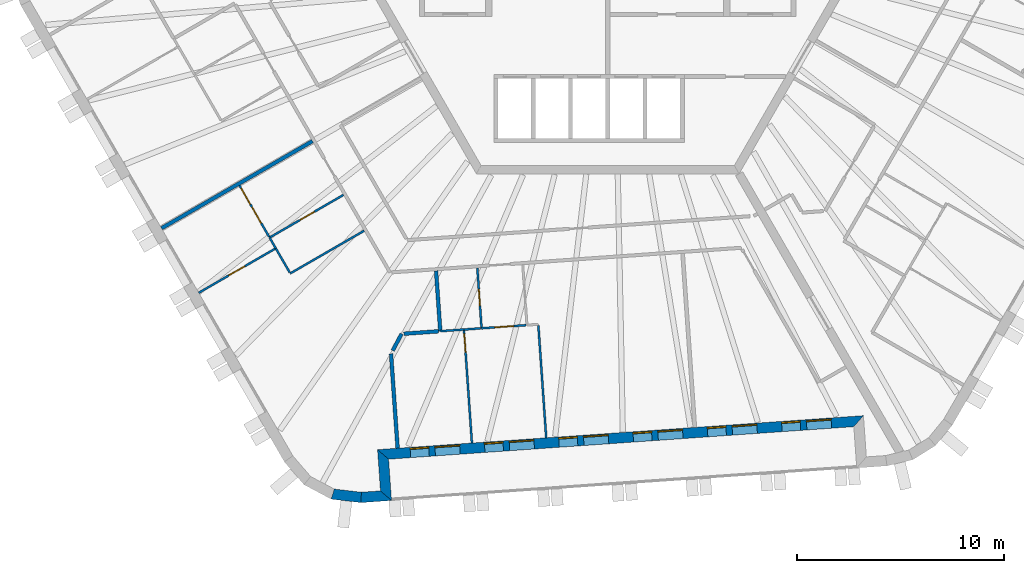
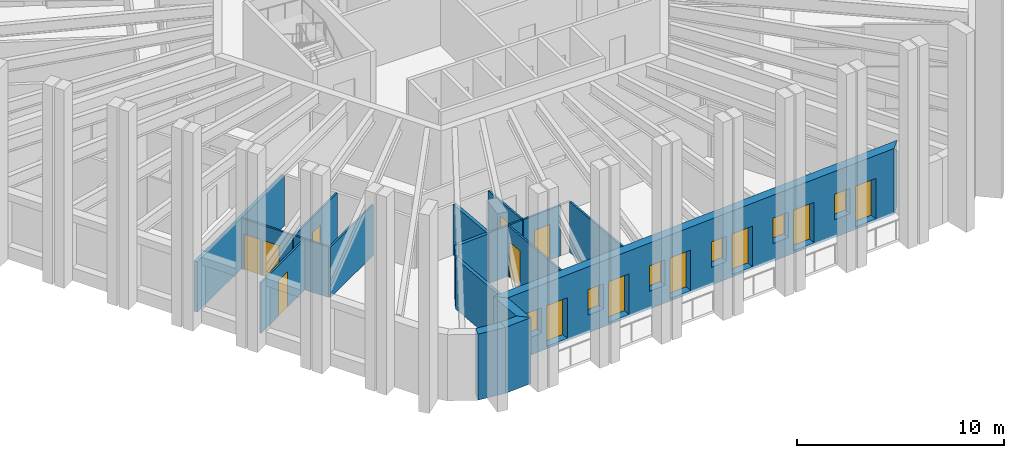
# One storey, part 3 of 12: 21 walls, 13 doors, 6 windows, 19 openings.
"""IFC4 building model written with IfcOpenShell, lengths in metres."""

from ifc_helpers import new_model, si_unit, direction, frame, frame_2d, origin, place, context, subcontext, project, spatial, polyline, rectangle, outline, extrude, material, layer, layer_set, type_object, element, fill, save


model = new_model("IFC4")

# Units and contexts
model_context = context("Model", 3, precision=1e-05, world=origin(), true_north=direction((0.0, 1.0)))
body_context = subcontext(model_context, "Body", "Model", "MODEL_VIEW")
ifc_project = project(units=[si_unit("LENGTHUNIT", "METRE"), si_unit("AREAUNIT", "SQUARE_METRE"), si_unit("VOLUMEUNIT", "CUBIC_METRE"), si_unit("PLANEANGLEUNIT", "RADIAN"), si_unit("MASSUNIT", "GRAM", prefix="KILO")], contexts=[model_context])

# Site, building, storey
site_placement = place(None, origin())
site = spatial("IfcSite", under=ifc_project, at=site_placement, CompositionType="ELEMENT")
building_placement = place(site_placement, origin())
building = spatial("IfcBuilding", under=site, at=building_placement, Name="Tarnside Tower", CompositionType="ELEMENT")
storey_placement = place(building_placement, frame((0.0, 0.0, 291.300048828125)))
storey = spatial("IfcBuildingStorey", under=building, at=storey_placement, Name="L70", CompositionType="ELEMENT", Elevation=291.300048828125)

# Walls
ifc_material_1 = material(Name="Gypsum board partition on steel studs", Category="steel")
ifc_layer_1 = layer(ifc_material_1, 0.10009765625)
ifc_layer_set_1 = layer_set([ifc_layer_1], Name="Bathroom wall 100")
wall_type_1 = type_object("IfcWallType", Name="Bathroom wall 100", PredefinedType="PARTITIONING", material=ifc_layer_set_1)
wall_1_placement = place(storey_placement, frame((-11.77490234375, -13.755126953125, 0.0), z_axis=(0.0, 0.0, 1.0), x_axis=(-0.866034795751, -0.499983732284, 0.0)))
element("IfcWall", 1, at=wall_1_placement, inside=storey, type_object=wall_type_1, Name="Bathroom wall 23120", PredefinedType="PARTITIONING", context=body_context, shape_type="SweptSolid", body=[
    extrude(rectangle(XDim=4.125244140625, YDim=0.10009765625, at=frame_2d((2.0625, 0.0))), origin(), (0.0, 0.0, 1.0), 2.98779296875),
])
wall_2_placement = place(storey_placement, frame((-15.372314453125, -15.7744140625, 0.0), z_axis=(0.0, 0.0, 1.0), x_axis=(-0.500003806764, 0.866023205937, 0.0)))
element("IfcWall", 2, at=wall_2_placement, inside=storey, type_object=wall_type_1, Name="Bathroom wall 23121", PredefinedType="PARTITIONING", context=body_context, shape_type="SweptSolid", body=[
    extrude(rectangle(XDim=1.35205078125, YDim=0.10009765625, at=frame_2d((0.676025390625, 0.0))), origin(), (0.0, 0.0, 1.0), 2.98779296875),
])

# Wall, opening, door
wall_3_placement = place(storey_placement, frame((-16.347412109375, -14.08544921875, 0.0), z_axis=(0.0, 0.0, 1.0), x_axis=(0.866034795751, 0.499983732284, 0.0)))
wall_3 = element("IfcWall", 3, at=wall_3_placement, inside=storey, type_object=wall_type_1, Name="Bathroom wall 23127", PredefinedType="PARTITIONING", context=body_context, shape_type="SweptSolid", body=[
    extrude(rectangle(XDim=4.125244140625, YDim=0.10009765625, at=frame_2d((2.0625, 0.0))), origin(), (0.0, 0.0, 1.0), 2.98779296875),
])
opening_1_placement = place(wall_3_placement, frame((1.699951171875, 0.0, 0.0)))
opening_1 = element("IfcOpeningElement", 4, at=opening_1_placement, cuts=wall_3, Name="Opening D-B1", PredefinedType="OPENING", context=body_context, shape_type="SweptSolid", body=[
    extrude(rectangle(XDim=0.800048828125, YDim=2.10009765625, at=frame_2d((0.39990234375, 1.050048828125))), frame((0.0, 0.06005859375, 0.0), z_axis=(0.0, -1.0, 0.0), x_axis=(1.0, 0.0, 0.0)), (0.0, 0.0, 1.0), 0.1201171875),
])
ifc_material_2 = material(Name="Timber door leaf", Category="wood")
door_type_1 = type_object("IfcDoorType", Name="Bathroom door 800", OperationType="NOTDEFINED", PredefinedType="DOOR", material=ifc_material_2)
door_1_placement = place(opening_1_placement, origin())
door_1 = element("IfcDoor", 5, at=door_1_placement, inside=storey, type_object=door_type_1, Name="Bathroom door 23027", OperationType="SINGLE_SWING_LEFT", OverallHeight=2.10009765625, OverallWidth=0.800048828125, PredefinedType="DOOR", context=body_context, shape_type="SweptSolid", body=[
    extrude(rectangle(XDim=0.800048828125, YDim=2.10009765625, at=frame_2d((0.39990234375, 1.050048828125))), frame((0.0, 0.02490234375, 0.0), z_axis=(0.0, -1.0, 0.0), x_axis=(1.0, 0.0, 0.0)), (0.0, 0.0, 1.0), 0.050048828125),
])
fill(opening_1, door_1)

# Wall
wall_4_placement = place(storey_placement, frame((-16.348388671875, -14.083740234375, 0.0), z_axis=(0.0, 0.0, 1.0), x_axis=(0.499933044277, -0.866064057238, 0.0)))
element("IfcWall", 6, at=wall_4_placement, inside=storey, type_object=wall_type_1, Name="Bathroom wall 23129", PredefinedType="PARTITIONING", context=body_context, shape_type="SweptSolid", body=[
    extrude(rectangle(XDim=0.60205078125, YDim=0.10009765625, at=frame_2d((0.301025390625, 0.0))), origin(), (0.0, 0.0, 1.0), 2.98779296875),
])

# Wall, opening, door
wall_5_placement = place(storey_placement, frame((-6.303466796875, -15.552490234375, 0.0), z_axis=(0.0, 0.0, 1.0), x_axis=(0.069775971057, -0.997562686683, 0.0)))
wall_5 = element("IfcWall", 7, at=wall_5_placement, inside=storey, type_object=wall_type_1, Name="Bathroom wall 23134", PredefinedType="PARTITIONING", context=body_context, shape_type="SweptSolid", body=[
    extrude(rectangle(XDim=2.925048828125, YDim=0.10009765625, at=frame_2d((1.46240234375, 0.0))), origin(), (0.0, 0.0, 1.0), 2.98779296875),
])
opening_2_placement = place(wall_5_placement, frame((1.02490234375, 0.0, 0.0)))
opening_2 = element("IfcOpeningElement", 8, at=opening_2_placement, cuts=wall_5, Name="Opening D-B1", PredefinedType="OPENING", context=body_context, shape_type="SweptSolid", body=[
    extrude(rectangle(XDim=0.800048828125, YDim=2.10009765625, at=frame_2d((0.39990234375, 1.050048828125))), frame((0.0, 0.06005859375, 0.0), z_axis=(0.0, -1.0, 0.0), x_axis=(1.0, 0.0, 0.0)), (0.0, 0.0, 1.0), 0.1201171875),
])
door_2_placement = place(opening_2_placement, origin())
door_2 = element("IfcDoor", 9, at=door_2_placement, inside=storey, type_object=door_type_1, Name="Bathroom door 23032", OperationType="SINGLE_SWING_RIGHT", OverallHeight=2.10009765625, OverallWidth=0.800048828125, PredefinedType="DOOR", context=body_context, shape_type="SweptSolid", body=[
    extrude(rectangle(XDim=0.800048828125, YDim=2.10009765625, at=frame_2d((0.39990234375, 1.050048828125))), frame((0.0, 0.02490234375, 0.0), z_axis=(0.0, -1.0, 0.0), x_axis=(1.0, 0.0, 0.0)), (0.0, 0.0, 1.0), 0.050048828125),
])
fill(opening_2, door_2)

# Walls
wall_6_placement = place(storey_placement, frame((-8.0966796875, -18.610107421875, 0.0), z_axis=(0.0, 0.0, 1.0), x_axis=(0.99756000175, 0.069814346006, 0.0)))
element("IfcWall", 10, at=wall_6_placement, inside=storey, type_object=wall_type_1, Name="Bathroom wall 23136", PredefinedType="PARTITIONING", context=body_context, shape_type="SweptSolid", body=[
    extrude(rectangle(XDim=1.150390625, YDim=0.10009765625, at=frame_2d((0.5751953125, 0.0))), origin(), (0.0, 0.0, 1.0), 2.98779296875),
])
wall_7_placement = place(storey_placement, frame((-6.948974609375, -18.52978515625, 0.0), z_axis=(0.0, 0.0, 1.0), x_axis=(0.997577552604, 0.06956311192, 0.0)))
element("IfcWall", 11, at=wall_7_placement, inside=storey, type_object=wall_type_1, Name="Bathroom wall 23137", PredefinedType="PARTITIONING", context=body_context, shape_type="SweptSolid", body=[
    extrude(rectangle(XDim=0.8037109375, YDim=0.10009765625, at=frame_2d((0.40185546875, 0.0))), origin(), (0.0, 0.0, 1.0), 2.98779296875),
])
ifc_layer_2 = layer(ifc_material_1, 0.179931640625)
ifc_layer_set_2 = layer_set([ifc_layer_2], Name="Demising wall 180 EI 60")
wall_type_2 = type_object("IfcWallType", Name="Demising wall 180 EI 60", PredefinedType="PARTITIONING", material=ifc_layer_set_2)
wall_8_placement = place(storey_placement, frame((-21.5712890625, -13.637451171875, 0.0), z_axis=(0.0, 0.0, 1.0), x_axis=(0.866034063461, 0.499985000701, 0.0)))
element("IfcWall", 12, at=wall_8_placement, inside=storey, type_object=wall_type_2, Name="Demising wall 23116", PredefinedType="PARTITIONING", context=body_context, shape_type="SweptSolid", body=[
    extrude(rectangle(XDim=8.425048828125, YDim=0.179931640625, at=frame_2d((4.21240234375, 0.0))), origin(), (0.0, 0.0, 1.0), 2.98779296875),
])
wall_9_placement = place(storey_placement, frame((-8.094482421875, -18.60986328125, 0.0), z_axis=(0.0, 0.0, 1.0), x_axis=(-0.069781781132, 0.997562280272, 0.0)))
element("IfcWall", 13, at=wall_9_placement, inside=storey, type_object=wall_type_2, Name="Demising wall 23123", PredefinedType="PARTITIONING", context=body_context, shape_type="SweptSolid", body=[
    extrude(rectangle(XDim=2.9248046875, YDim=0.179931640625, at=frame_2d((1.46240234375, 0.0))), origin(), (0.0, 0.0, 1.0), 2.98779296875),
])
wall_10_placement = place(storey_placement, frame((-10.15673828125, -24.267578125, 0.0), z_axis=(0.0, 0.0, 1.0), x_axis=(-0.069722955951, 0.997566393486, 0.0)))
element("IfcWall", 14, at=wall_10_placement, inside=storey, type_object=wall_type_2, Name="Demising wall 23124", PredefinedType="PARTITIONING", context=body_context, shape_type="SweptSolid", body=[
    extrude(rectangle(XDim=4.57666015625, YDim=0.179931640625, at=frame_2d((2.288330078125, 0.0))), origin(), (0.0, 0.0, 1.0), 2.98779296875),
])
wall_11_placement = place(storey_placement, frame((-10.396240234375, -19.55224609375, 0.0), z_axis=(0.0, 0.0, 1.0), x_axis=(0.469595353143, 0.882881761226, 0.0)))
element("IfcWall", 15, at=wall_11_placement, inside=storey, type_object=wall_type_2, Name="Demising wall 23125", PredefinedType="PARTITIONING", context=body_context, shape_type="SweptSolid", body=[
    extrude(rectangle(XDim=0.919189453125, YDim=0.179931640625, at=frame_2d((0.45947265625, 0.0))), origin(), (0.0, 0.0, 1.0), 2.98779296875),
])
wall_12_placement = place(storey_placement, frame((-9.858642578125, -18.7333984375, 0.0), z_axis=(0.0, 0.0, 1.0), x_axis=(0.997559371599, 0.069823349496, 0.0)))
element("IfcWall", 16, at=wall_12_placement, inside=storey, type_object=wall_type_2, Name="Demising wall 23126", PredefinedType="PARTITIONING", context=body_context, shape_type="SweptSolid", body=[
    extrude(rectangle(XDim=1.681884765625, YDim=0.179931640625, at=frame_2d((0.8408203125, 0.0))), origin(), (0.0, 0.0, 1.0), 2.98779296875),
])
ifc_material_3 = material(Name="Dark zinc cladding")
ifc_layer_3 = layer(ifc_material_3, 0.10205078125)
ifc_material_4 = material(Name="Concrete C60/75 precast", Category="concrete")
ifc_layer_4 = layer(ifc_material_4, 0.298095703125)
ifc_material_5 = material(Name="Mineral wool insulation")
ifc_layer_5 = layer(ifc_material_5, 0.10009765625)
ifc_layer_set_3 = layer_set([ifc_layer_3, ifc_layer_4, ifc_layer_5], Name="Loggia wall 500 zinc faced")
wall_type_3 = type_object("IfcWallType", Name="Loggia wall 500 zinc faced", PredefinedType="SOLIDWALL", material=ifc_layer_set_3)
wall_13_placement = place(storey_placement, frame((-11.91748046875, -26.646240234375, -0.150146484375), z_axis=(0.0, 0.0, 1.0), x_axis=(0.997562933087, 0.069772448216, 0.0)))
element("IfcWall", 17, at=wall_13_placement, inside=storey, type_object=wall_type_3, Name="Tube wall L70 F4 stub 16", PredefinedType="SOLIDWALL", context=body_context, shape_type="SweptSolid", body=[
    extrude(outline(polyline([(-0.0234375, -0.25), (1.4501953125, -0.25), (0.9501953125, 0.25), (0.0234375, 0.25), (-0.0234375, -0.25)])), origin(), (0.0, 0.0, 1.0), 3.900146484375),
])
wall_14_placement = place(storey_placement, frame((-10.72021484375, -26.5625, -0.150146484375), z_axis=(0.0, 0.0, 1.0), x_axis=(-0.069824268692, 0.99755930726, 0.0)))
element("IfcWall", 18, at=wall_14_placement, inside=storey, type_object=wall_type_3, Name="Tube wall L70 F4 return 17", PredefinedType="SOLIDWALL", context=body_context, shape_type="SweptSolid", body=[
    extrude(outline(polyline([(-0.25, -0.25), (1.75, -0.25), (2.25, 0.25), (0.25, 0.25), (-0.25, -0.25)])), origin(), (0.0, 0.0, 1.0), 3.900146484375),
])

# Wall, openings, doors, windows
wall_15_placement = place(storey_placement, frame((-10.85986328125, -24.5673828125, -0.150146484375), z_axis=(0.0, 0.0, 1.0), x_axis=(0.997564329317, 0.06975248292, 0.0)))
wall_15 = element("IfcWall", 19, at=wall_15_placement, inside=storey, type_object=wall_type_3, Name="Tube wall L70 F4 back 18", PredefinedType="SOLIDWALL", context=body_context, shape_type="SweptSolid", body=[
    extrude(outline(polyline([(0.25, -0.25), (22.794677734375, -0.25), (23.294677734375, 0.25), (-0.25, 0.25), (0.25, -0.25)])), origin(), (0.0, 0.0, 1.0), 3.900146484375),
])
opening_3_placement = place(wall_15_placement, frame((1.322509765625, 0.0, 1.050048828125)))
opening_3 = element("IfcOpeningElement", 20, at=opening_3_placement, cuts=wall_15, Name="Opening WL500", PredefinedType="OPENING", context=body_context, shape_type="SweptSolid", body=[
    extrude(rectangle(XDim=0.89990234375, YDim=1.5, at=frame_2d((0.449951171875, 0.75))), frame((0.0, 0.260009765625, 0.0), z_axis=(0.0, -1.0, 0.0), x_axis=(1.0, 0.0, 0.0)), (0.0, 0.0, 1.0), 0.52001953125),
])
opening_4_placement = place(wall_15_placement, frame((2.5224609375, 0.0, 0.14990234375)))
opening_4 = element("IfcOpeningElement", 21, at=opening_4_placement, cuts=wall_15, Name="Opening DB500", PredefinedType="OPENING", context=body_context, shape_type="SweptSolid", body=[
    extrude(rectangle(XDim=1.199951171875, YDim=2.39990234375, at=frame_2d((0.60009765625, 1.199951171875))), frame((0.0, 0.260009765625, 0.0), z_axis=(0.0, -1.0, 0.0), x_axis=(1.0, 0.0, 0.0)), (0.0, 0.0, 1.0), 0.52001953125),
])
opening_5_placement = place(wall_15_placement, frame((4.92236328125, 0.0, 1.050048828125)))
opening_5 = element("IfcOpeningElement", 22, at=opening_5_placement, cuts=wall_15, Name="Opening WL500", PredefinedType="OPENING", context=body_context, shape_type="SweptSolid", body=[
    extrude(rectangle(XDim=0.89990234375, YDim=1.5, at=frame_2d((0.449951171875, 0.75))), frame((0.0, 0.260009765625, 0.0), z_axis=(0.0, -1.0, 0.0), x_axis=(1.0, 0.0, 0.0)), (0.0, 0.0, 1.0), 0.52001953125),
])
opening_6_placement = place(wall_15_placement, frame((6.122314453125, 0.0, 0.14990234375)))
opening_6 = element("IfcOpeningElement", 23, at=opening_6_placement, cuts=wall_15, Name="Opening DB500", PredefinedType="OPENING", context=body_context, shape_type="SweptSolid", body=[
    extrude(rectangle(XDim=1.199951171875, YDim=2.39990234375, at=frame_2d((0.60009765625, 1.199951171875))), frame((0.0, 0.260009765625, 0.0), z_axis=(0.0, -1.0, 0.0), x_axis=(1.0, 0.0, 0.0)), (0.0, 0.0, 1.0), 0.52001953125),
])
opening_7_placement = place(wall_15_placement, frame((8.5224609375, 0.0, 1.050048828125)))
opening_7 = element("IfcOpeningElement", 24, at=opening_7_placement, cuts=wall_15, Name="Opening WL500", PredefinedType="OPENING", context=body_context, shape_type="SweptSolid", body=[
    extrude(rectangle(XDim=0.89990234375, YDim=1.5, at=frame_2d((0.449951171875, 0.75))), frame((0.0, 0.260009765625, 0.0), z_axis=(0.0, -1.0, 0.0), x_axis=(1.0, 0.0, 0.0)), (0.0, 0.0, 1.0), 0.52001953125),
])
opening_8_placement = place(wall_15_placement, frame((9.722412109375, 0.0, 0.14990234375)))
opening_8 = element("IfcOpeningElement", 25, at=opening_8_placement, cuts=wall_15, Name="Opening DB500", PredefinedType="OPENING", context=body_context, shape_type="SweptSolid", body=[
    extrude(rectangle(XDim=1.199951171875, YDim=2.39990234375, at=frame_2d((0.60009765625, 1.199951171875))), frame((0.0, 0.260009765625, 0.0), z_axis=(0.0, -1.0, 0.0), x_axis=(1.0, 0.0, 0.0)), (0.0, 0.0, 1.0), 0.52001953125),
])
opening_9_placement = place(wall_15_placement, frame((12.122314453125, 0.0, 1.050048828125)))
opening_9 = element("IfcOpeningElement", 26, at=opening_9_placement, cuts=wall_15, Name="Opening WL500", PredefinedType="OPENING", context=body_context, shape_type="SweptSolid", body=[
    extrude(rectangle(XDim=0.89990234375, YDim=1.5, at=frame_2d((0.449951171875, 0.75))), frame((0.0, 0.260009765625, 0.0), z_axis=(0.0, -1.0, 0.0), x_axis=(1.0, 0.0, 0.0)), (0.0, 0.0, 1.0), 0.52001953125),
])
opening_10_placement = place(wall_15_placement, frame((13.322509765625, 0.0, 0.14990234375)))
opening_10 = element("IfcOpeningElement", 27, at=opening_10_placement, cuts=wall_15, Name="Opening DB500", PredefinedType="OPENING", context=body_context, shape_type="SweptSolid", body=[
    extrude(rectangle(XDim=1.199951171875, YDim=2.39990234375, at=frame_2d((0.60009765625, 1.199951171875))), frame((0.0, 0.260009765625, 0.0), z_axis=(0.0, -1.0, 0.0), x_axis=(1.0, 0.0, 0.0)), (0.0, 0.0, 1.0), 0.52001953125),
])
opening_11_placement = place(wall_15_placement, frame((15.722412109375, 0.0, 1.050048828125)))
opening_11 = element("IfcOpeningElement", 28, at=opening_11_placement, cuts=wall_15, Name="Opening WL500", PredefinedType="OPENING", context=body_context, shape_type="SweptSolid", body=[
    extrude(rectangle(XDim=0.89990234375, YDim=1.5, at=frame_2d((0.449951171875, 0.75))), frame((0.0, 0.260009765625, 0.0), z_axis=(0.0, -1.0, 0.0), x_axis=(1.0, 0.0, 0.0)), (0.0, 0.0, 1.0), 0.52001953125),
])
opening_12_placement = place(wall_15_placement, frame((16.92236328125, 0.0, 0.14990234375)))
opening_12 = element("IfcOpeningElement", 29, at=opening_12_placement, cuts=wall_15, Name="Opening DB500", PredefinedType="OPENING", context=body_context, shape_type="SweptSolid", body=[
    extrude(rectangle(XDim=1.199951171875, YDim=2.39990234375, at=frame_2d((0.60009765625, 1.199951171875))), frame((0.0, 0.260009765625, 0.0), z_axis=(0.0, -1.0, 0.0), x_axis=(1.0, 0.0, 0.0)), (0.0, 0.0, 1.0), 0.52001953125),
])
opening_13_placement = place(wall_15_placement, frame((19.322509765625, 0.0, 1.050048828125)))
opening_13 = element("IfcOpeningElement", 30, at=opening_13_placement, cuts=wall_15, Name="Opening WL500", PredefinedType="OPENING", context=body_context, shape_type="SweptSolid", body=[
    extrude(rectangle(XDim=0.89990234375, YDim=1.5, at=frame_2d((0.449951171875, 0.75))), frame((0.0, 0.260009765625, 0.0), z_axis=(0.0, -1.0, 0.0), x_axis=(1.0, 0.0, 0.0)), (0.0, 0.0, 1.0), 0.52001953125),
])
opening_14_placement = place(wall_15_placement, frame((20.5224609375, 0.0, 0.14990234375)))
opening_14 = element("IfcOpeningElement", 31, at=opening_14_placement, cuts=wall_15, Name="Opening DB500", PredefinedType="OPENING", context=body_context, shape_type="SweptSolid", body=[
    extrude(rectangle(XDim=1.199951171875, YDim=2.39990234375, at=frame_2d((0.60009765625, 1.199951171875))), frame((0.0, 0.260009765625, 0.0), z_axis=(0.0, -1.0, 0.0), x_axis=(1.0, 0.0, 0.0)), (0.0, 0.0, 1.0), 0.52001953125),
])
ifc_material_6 = material(Name="Aluminium-framed double glazing", Category="aluminium")
door_type_2 = type_object("IfcDoorType", Name="Balcony sliding door 1200 x 2400 in 500 wall", OperationType="SLIDING_TO_LEFT", PredefinedType="DOOR", material=ifc_material_6)
door_3_placement = place(opening_4_placement, frame((0.0, 0.1748046875, 0.0)))
door_3 = element("IfcDoor", 32, at=door_3_placement, inside=storey, type_object=door_type_2, Name="E.BD.L70.F4.00", OperationType="SLIDING_TO_LEFT", OverallHeight=2.39990234375, OverallWidth=1.199951171875, PredefinedType="DOOR", context=body_context, shape_type="SweptSolid", body=[
    extrude(rectangle(XDim=1.199951171875, YDim=2.39990234375, at=frame_2d((0.60009765625, 1.199951171875))), frame((0.0, 0.02490234375, 0.0), z_axis=(0.0, -1.0, 0.0), x_axis=(1.0, 0.0, 0.0)), (0.0, 0.0, 1.0), 0.050048828125),
])
fill(opening_4, door_3)
door_4_placement = place(opening_6_placement, frame((0.0, 0.1748046875, 0.0)))
door_4 = element("IfcDoor", 33, at=door_4_placement, inside=storey, type_object=door_type_2, Name="E.BD.L70.F4.01", OperationType="SLIDING_TO_LEFT", OverallHeight=2.39990234375, OverallWidth=1.199951171875, PredefinedType="DOOR", context=body_context, shape_type="SweptSolid", body=[
    extrude(rectangle(XDim=1.199951171875, YDim=2.39990234375, at=frame_2d((0.60009765625, 1.199951171875))), frame((0.0, 0.02490234375, 0.0), z_axis=(0.0, -1.0, 0.0), x_axis=(1.0, 0.0, 0.0)), (0.0, 0.0, 1.0), 0.050048828125),
])
fill(opening_6, door_4)
door_5_placement = place(opening_8_placement, frame((0.0, 0.1748046875, 0.0)))
door_5 = element("IfcDoor", 34, at=door_5_placement, inside=storey, type_object=door_type_2, Name="E.BD.L70.F4.02", OperationType="SLIDING_TO_LEFT", OverallHeight=2.39990234375, OverallWidth=1.199951171875, PredefinedType="DOOR", context=body_context, shape_type="SweptSolid", body=[
    extrude(rectangle(XDim=1.199951171875, YDim=2.39990234375, at=frame_2d((0.60009765625, 1.199951171875))), frame((0.0, 0.02490234375, 0.0), z_axis=(0.0, -1.0, 0.0), x_axis=(1.0, 0.0, 0.0)), (0.0, 0.0, 1.0), 0.050048828125),
])
fill(opening_8, door_5)
door_6_placement = place(opening_10_placement, frame((0.0, 0.1748046875, 0.0)))
door_6 = element("IfcDoor", 35, at=door_6_placement, inside=storey, type_object=door_type_2, Name="E.BD.L70.F4.03", OperationType="SLIDING_TO_LEFT", OverallHeight=2.39990234375, OverallWidth=1.199951171875, PredefinedType="DOOR", context=body_context, shape_type="SweptSolid", body=[
    extrude(rectangle(XDim=1.199951171875, YDim=2.39990234375, at=frame_2d((0.60009765625, 1.199951171875))), frame((0.0, 0.02490234375, 0.0), z_axis=(0.0, -1.0, 0.0), x_axis=(1.0, 0.0, 0.0)), (0.0, 0.0, 1.0), 0.050048828125),
])
fill(opening_10, door_6)
door_7_placement = place(opening_12_placement, frame((0.0, 0.1748046875, 0.0)))
door_7 = element("IfcDoor", 36, at=door_7_placement, inside=storey, type_object=door_type_2, Name="E.BD.L70.F4.04", OperationType="SLIDING_TO_LEFT", OverallHeight=2.39990234375, OverallWidth=1.199951171875, PredefinedType="DOOR", context=body_context, shape_type="SweptSolid", body=[
    extrude(rectangle(XDim=1.199951171875, YDim=2.39990234375, at=frame_2d((0.60009765625, 1.199951171875))), frame((0.0, 0.02490234375, 0.0), z_axis=(0.0, -1.0, 0.0), x_axis=(1.0, 0.0, 0.0)), (0.0, 0.0, 1.0), 0.050048828125),
])
fill(opening_12, door_7)
door_8_placement = place(opening_14_placement, frame((0.0, 0.1748046875, 0.0)))
door_8 = element("IfcDoor", 37, at=door_8_placement, inside=storey, type_object=door_type_2, Name="E.BD.L70.F4.05", OperationType="SLIDING_TO_LEFT", OverallHeight=2.39990234375, OverallWidth=1.199951171875, PredefinedType="DOOR", context=body_context, shape_type="SweptSolid", body=[
    extrude(rectangle(XDim=1.199951171875, YDim=2.39990234375, at=frame_2d((0.60009765625, 1.199951171875))), frame((0.0, 0.02490234375, 0.0), z_axis=(0.0, -1.0, 0.0), x_axis=(1.0, 0.0, 0.0)), (0.0, 0.0, 1.0), 0.050048828125),
])
fill(opening_14, door_8)
window_type = type_object("IfcWindowType", Name="Loggia window 900 x 1500 in 500 wall", PartitioningType="SINGLE_PANEL", PredefinedType="WINDOW", material=ifc_material_6)
window_1_placement = place(opening_3_placement, frame((0.0, 0.179931640625, 0.0)))
window_1 = element("IfcWindow", 38, at=window_1_placement, inside=storey, type_object=window_type, Name="E.LW.L70.F4.00", OverallHeight=1.5, OverallWidth=0.89990234375, PartitioningType="SINGLE_PANEL", PredefinedType="WINDOW", context=body_context, shape_type="SweptSolid", body=[
    extrude(rectangle(XDim=0.89990234375, YDim=1.5, at=frame_2d((0.449951171875, 0.75))), frame((0.0, 0.030029296875, 0.0), z_axis=(0.0, -1.0, 0.0), x_axis=(1.0, 0.0, 0.0)), (0.0, 0.0, 1.0), 0.06005859375),
])
fill(opening_3, window_1)
window_2_placement = place(opening_5_placement, frame((0.0, 0.179931640625, 0.0)))
window_2 = element("IfcWindow", 39, at=window_2_placement, inside=storey, type_object=window_type, Name="E.LW.L70.F4.01", OverallHeight=1.5, OverallWidth=0.89990234375, PartitioningType="SINGLE_PANEL", PredefinedType="WINDOW", context=body_context, shape_type="SweptSolid", body=[
    extrude(rectangle(XDim=0.89990234375, YDim=1.5, at=frame_2d((0.449951171875, 0.75))), frame((0.0, 0.030029296875, 0.0), z_axis=(0.0, -1.0, 0.0), x_axis=(1.0, 0.0, 0.0)), (0.0, 0.0, 1.0), 0.06005859375),
])
fill(opening_5, window_2)
window_3_placement = place(opening_7_placement, frame((0.0, 0.179931640625, 0.0)))
window_3 = element("IfcWindow", 40, at=window_3_placement, inside=storey, type_object=window_type, Name="E.LW.L70.F4.02", OverallHeight=1.5, OverallWidth=0.89990234375, PartitioningType="SINGLE_PANEL", PredefinedType="WINDOW", context=body_context, shape_type="SweptSolid", body=[
    extrude(rectangle(XDim=0.89990234375, YDim=1.5, at=frame_2d((0.449951171875, 0.75))), frame((0.0, 0.030029296875, 0.0), z_axis=(0.0, -1.0, 0.0), x_axis=(1.0, 0.0, 0.0)), (0.0, 0.0, 1.0), 0.06005859375),
])
fill(opening_7, window_3)
window_4_placement = place(opening_9_placement, frame((0.0, 0.179931640625, 0.0)))
window_4 = element("IfcWindow", 41, at=window_4_placement, inside=storey, type_object=window_type, Name="E.LW.L70.F4.03", OverallHeight=1.5, OverallWidth=0.89990234375, PartitioningType="SINGLE_PANEL", PredefinedType="WINDOW", context=body_context, shape_type="SweptSolid", body=[
    extrude(rectangle(XDim=0.89990234375, YDim=1.5, at=frame_2d((0.449951171875, 0.75))), frame((0.0, 0.030029296875, 0.0), z_axis=(0.0, -1.0, 0.0), x_axis=(1.0, 0.0, 0.0)), (0.0, 0.0, 1.0), 0.06005859375),
])
fill(opening_9, window_4)
window_5_placement = place(opening_11_placement, frame((0.0, 0.179931640625, 0.0)))
window_5 = element("IfcWindow", 42, at=window_5_placement, inside=storey, type_object=window_type, Name="E.LW.L70.F4.04", OverallHeight=1.5, OverallWidth=0.89990234375, PartitioningType="SINGLE_PANEL", PredefinedType="WINDOW", context=body_context, shape_type="SweptSolid", body=[
    extrude(rectangle(XDim=0.89990234375, YDim=1.5, at=frame_2d((0.449951171875, 0.75))), frame((0.0, 0.030029296875, 0.0), z_axis=(0.0, -1.0, 0.0), x_axis=(1.0, 0.0, 0.0)), (0.0, 0.0, 1.0), 0.06005859375),
])
fill(opening_11, window_5)
window_6_placement = place(opening_13_placement, frame((0.0, 0.179931640625, 0.0)))
window_6 = element("IfcWindow", 43, at=window_6_placement, inside=storey, type_object=window_type, Name="E.LW.L70.F4.05", OverallHeight=1.5, OverallWidth=0.89990234375, PartitioningType="SINGLE_PANEL", PredefinedType="WINDOW", context=body_context, shape_type="SweptSolid", body=[
    extrude(rectangle(XDim=0.89990234375, YDim=1.5, at=frame_2d((0.449951171875, 0.75))), frame((0.0, 0.030029296875, 0.0), z_axis=(0.0, -1.0, 0.0), x_axis=(1.0, 0.0, 0.0)), (0.0, 0.0, 1.0), 0.06005859375),
])
fill(opening_13, window_6)

# Wall, opening, door
ifc_layer_6 = layer(ifc_material_1, 0.10009765625)
ifc_layer_set_4 = layer_set([ifc_layer_6], Name="Partition 100")
wall_type_4 = type_object("IfcWallType", Name="Partition 100", PredefinedType="PARTITIONING", material=ifc_layer_set_4)
wall_16_placement = place(storey_placement, frame((-16.090576171875, -14.630126953125, 0.0), z_axis=(0.0, 0.0, 1.0), x_axis=(-0.866028703517, -0.499994284652, 0.0)))
wall_16 = element("IfcWall", 44, at=wall_16_placement, inside=storey, type_object=wall_type_4, Name="Partition wall 23122", PredefinedType="PARTITIONING", context=body_context, shape_type="SweptSolid", body=[
    extrude(rectangle(XDim=4.25, YDim=0.10009765625, at=frame_2d((2.125, 0.0))), origin(), (0.0, 0.0, 1.0), 2.98779296875),
])
opening_15_placement = place(wall_16_placement, frame((1.675048828125, 0.0, 0.0)))
opening_15 = element("IfcOpeningElement", 45, at=opening_15_placement, cuts=wall_16, Name="Opening D-I1", PredefinedType="OPENING", context=body_context, shape_type="SweptSolid", body=[
    extrude(rectangle(XDim=0.89990234375, YDim=2.10009765625, at=frame_2d((0.449951171875, 1.050048828125))), frame((0.0, 0.06005859375, 0.0), z_axis=(0.0, -1.0, 0.0), x_axis=(1.0, 0.0, 0.0)), (0.0, 0.0, 1.0), 0.1201171875),
])
door_type_3 = type_object("IfcDoorType", Name="Internal door 900", OperationType="NOTDEFINED", PredefinedType="DOOR", material=ifc_material_2)
door_9_placement = place(opening_15_placement, origin())
door_9 = element("IfcDoor", 46, at=door_9_placement, inside=storey, type_object=door_type_3, Name="Internal door 23056", OperationType="SINGLE_SWING_LEFT", OverallHeight=2.10009765625, OverallWidth=0.89990234375, PredefinedType="DOOR", context=body_context, shape_type="SweptSolid", body=[
    extrude(rectangle(XDim=0.89990234375, YDim=2.10009765625, at=frame_2d((0.449951171875, 1.050048828125))), frame((0.0, 0.02490234375, 0.0), z_axis=(0.0, -1.0, 0.0), x_axis=(1.0, 0.0, 0.0)), (0.0, 0.0, 1.0), 0.050048828125),
])
fill(opening_15, door_9)

# Wall, openings, doors
wall_17_placement = place(storey_placement, frame((-17.80224609375, -11.5654296875, 0.0), z_axis=(0.0, 0.0, 1.0), x_axis=(0.499983369373, -0.866035005268, 0.0)))
wall_17 = element("IfcWall", 47, at=wall_17_placement, inside=storey, type_object=wall_type_4, Name="Partition wall 23128", PredefinedType="PARTITIONING", context=body_context, shape_type="SweptSolid", body=[
    extrude(rectangle(XDim=2.86181640625, YDim=0.10009765625, at=frame_2d((1.430908203125, 0.0))), origin(), (0.0, 0.0, 1.0), 2.98779296875),
])
opening_16_placement = place(wall_17_placement, frame((0.14990234375, 0.0, 0.0)))
opening_16 = element("IfcOpeningElement", 48, at=opening_16_placement, cuts=wall_17, Name="Opening D-I1", PredefinedType="OPENING", context=body_context, shape_type="SweptSolid", body=[
    extrude(rectangle(XDim=0.89990234375, YDim=2.10009765625, at=frame_2d((0.449951171875, 1.050048828125))), frame((0.0, 0.06005859375, 0.0), z_axis=(0.0, -1.0, 0.0), x_axis=(1.0, 0.0, 0.0)), (0.0, 0.0, 1.0), 0.1201171875),
])
opening_17_placement = place(wall_17_placement, frame((1.2099609375, 0.0, 0.0)))
opening_17 = element("IfcOpeningElement", 49, at=opening_17_placement, cuts=wall_17, Name="Opening D-I1", PredefinedType="OPENING", context=body_context, shape_type="SweptSolid", body=[
    extrude(rectangle(XDim=0.89990234375, YDim=2.10009765625, at=frame_2d((0.449951171875, 1.050048828125))), frame((0.0, 0.06005859375, 0.0), z_axis=(0.0, -1.0, 0.0), x_axis=(1.0, 0.0, 0.0)), (0.0, 0.0, 1.0), 0.1201171875),
])
door_10_placement = place(opening_16_placement, origin())
door_10 = element("IfcDoor", 50, at=door_10_placement, inside=storey, type_object=door_type_3, Name="Internal door 23029", OperationType="SINGLE_SWING_LEFT", OverallHeight=2.10009765625, OverallWidth=0.89990234375, PredefinedType="DOOR", context=body_context, shape_type="SweptSolid", body=[
    extrude(rectangle(XDim=0.89990234375, YDim=2.10009765625, at=frame_2d((0.449951171875, 1.050048828125))), frame((0.0, 0.02490234375, 0.0), z_axis=(0.0, -1.0, 0.0), x_axis=(1.0, 0.0, 0.0)), (0.0, 0.0, 1.0), 0.050048828125),
])
fill(opening_16, door_10)
door_11_placement = place(opening_17_placement, origin())
door_11 = element("IfcDoor", 51, at=door_11_placement, inside=storey, type_object=door_type_3, Name="Internal door 23030", OperationType="SINGLE_SWING_LEFT", OverallHeight=2.10009765625, OverallWidth=0.89990234375, PredefinedType="DOOR", context=body_context, shape_type="SweptSolid", body=[
    extrude(rectangle(XDim=0.89990234375, YDim=2.10009765625, at=frame_2d((0.449951171875, 1.050048828125))), frame((0.0, 0.02490234375, 0.0), z_axis=(0.0, -1.0, 0.0), x_axis=(1.0, 0.0, 0.0)), (0.0, 0.0, 1.0), 0.050048828125),
])
fill(opening_17, door_11)

# Wall
wall_18_placement = place(storey_placement, frame((-3.354248046875, -18.32861328125, 0.0), z_axis=(0.0, 0.0, 1.0), x_axis=(0.069747550305, -0.997564674207, 0.0)))
element("IfcWall", 52, at=wall_18_placement, inside=storey, type_object=wall_type_4, Name="Partition wall 23132", PredefinedType="PARTITIONING", context=body_context, shape_type="SweptSolid", body=[
    extrude(rectangle(XDim=5.449951171875, YDim=0.10009765625, at=frame_2d((2.72509765625, 0.0))), origin(), (0.0, 0.0, 1.0), 2.98779296875),
])

# Wall, opening, door
wall_19_placement = place(storey_placement, frame((-6.1015625, -18.470703125, 0.0), z_axis=(0.0, 0.0, 1.0), x_axis=(0.997560072268, 0.069813338391, 0.0)))
wall_19 = element("IfcWall", 53, at=wall_19_placement, inside=storey, type_object=wall_type_4, Name="Partition wall 23135", PredefinedType="PARTITIONING", context=body_context, shape_type="SweptSolid", body=[
    extrude(rectangle(XDim=2.154296875, YDim=0.10009765625, at=frame_2d((1.0771484375, 0.0))), origin(), (0.0, 0.0, 1.0), 2.98779296875),
])
opening_18_placement = place(wall_19_placement, frame((0.652099609375, 0.0, 0.0)))
opening_18 = element("IfcOpeningElement", 54, at=opening_18_placement, cuts=wall_19, Name="Opening D-I1", PredefinedType="OPENING", context=body_context, shape_type="SweptSolid", body=[
    extrude(rectangle(XDim=0.89990234375, YDim=2.10009765625, at=frame_2d((0.449951171875, 1.050048828125))), frame((0.0, 0.06005859375, 0.0), z_axis=(0.0, -1.0, 0.0), x_axis=(1.0, 0.0, 0.0)), (0.0, 0.0, 1.0), 0.1201171875),
])
door_12_placement = place(opening_18_placement, origin())
door_12 = element("IfcDoor", 55, at=door_12_placement, inside=storey, type_object=door_type_3, Name="Internal door 23037", OperationType="SINGLE_SWING_RIGHT", OverallHeight=2.10009765625, OverallWidth=0.89990234375, PredefinedType="DOOR", context=body_context, shape_type="SweptSolid", body=[
    extrude(rectangle(XDim=0.89990234375, YDim=2.10009765625, at=frame_2d((0.449951171875, 1.050048828125))), frame((0.0, 0.02490234375, 0.0), z_axis=(0.0, -1.0, 0.0), x_axis=(1.0, 0.0, 0.0)), (0.0, 0.0, 1.0), 0.050048828125),
])
fill(opening_18, door_12)

wall_20_placement = place(storey_placement, frame((-6.5654296875, -24.0166015625, 0.0), z_axis=(0.0, 0.0, 1.0), x_axis=(-0.069747550305, 0.997564674207, 0.0)))
wall_20 = element("IfcWall", 56, at=wall_20_placement, inside=storey, type_object=wall_type_4, Name="Partition wall 23138", PredefinedType="PARTITIONING", context=body_context, shape_type="SweptSolid", body=[
    extrude(rectangle(XDim=5.449951171875, YDim=0.10009765625, at=frame_2d((2.72509765625, 0.0))), origin(), (0.0, 0.0, 1.0), 2.98779296875),
])
opening_19_placement = place(wall_20_placement, frame((4.39990234375, 0.0, 0.0)))
opening_19 = element("IfcOpeningElement", 57, at=opening_19_placement, cuts=wall_20, Name="Opening D-I1", PredefinedType="OPENING", context=body_context, shape_type="SweptSolid", body=[
    extrude(rectangle(XDim=0.89990234375, YDim=2.10009765625, at=frame_2d((0.449951171875, 1.050048828125))), frame((0.0, 0.06005859375, 0.0), z_axis=(0.0, -1.0, 0.0), x_axis=(1.0, 0.0, 0.0)), (0.0, 0.0, 1.0), 0.1201171875),
])
door_13_placement = place(opening_19_placement, origin())
door_13 = element("IfcDoor", 58, at=door_13_placement, inside=storey, type_object=door_type_3, Name="Internal door 23036", OperationType="SINGLE_SWING_RIGHT", OverallHeight=2.10009765625, OverallWidth=0.89990234375, PredefinedType="DOOR", context=body_context, shape_type="SweptSolid", body=[
    extrude(rectangle(XDim=0.89990234375, YDim=2.10009765625, at=frame_2d((0.449951171875, 1.050048828125))), frame((0.0, 0.02490234375, 0.0), z_axis=(0.0, -1.0, 0.0), x_axis=(1.0, 0.0, 0.0)), (0.0, 0.0, 1.0), 0.050048828125),
])
fill(opening_19, door_13)

# Wall
ifc_material_7 = material(Name="Facing brick", Category="masonry")
ifc_layer_7 = layer(ifc_material_7, 0.10205078125)
ifc_layer_8 = layer(ifc_material_4, 0.298095703125)
ifc_layer_9 = layer(ifc_material_5, 0.10009765625)
ifc_layer_set_5 = layer_set([ifc_layer_7, ifc_layer_8, ifc_layer_9], Name="Tube wall 500 brick faced")
wall_type_5 = type_object("IfcWallType", Name="Tube wall 500 brick faced", PredefinedType="SOLIDWALL", material=ifc_layer_set_5)
wall_21_placement = place(storey_placement, frame((-13.296142578125, -26.485107421875, -0.150146484375), z_axis=(0.0, 0.0, 1.0), x_axis=(0.993239161627, -0.116086036245, 0.0)))
element("IfcWall", 59, at=wall_21_placement, inside=storey, type_object=wall_type_5, Name="Tube wall L70 F3 chord 15", PredefinedType="SOLIDWALL", context=body_context, shape_type="SweptSolid", body=[
    extrude(outline(polyline([(-0.047119140625, -0.25), (1.411376953125, -0.25), (1.364501953125, 0.25), (0.047119140625, 0.25), (-0.047119140625, -0.25)])), origin(), (0.0, 0.0, 1.0), 3.900146484375),
])

save(model, "model.ifc")
